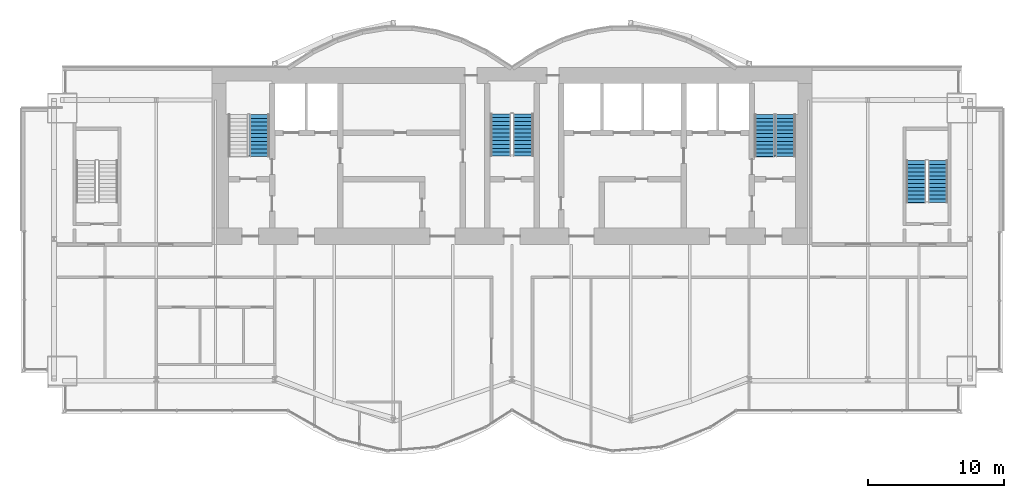
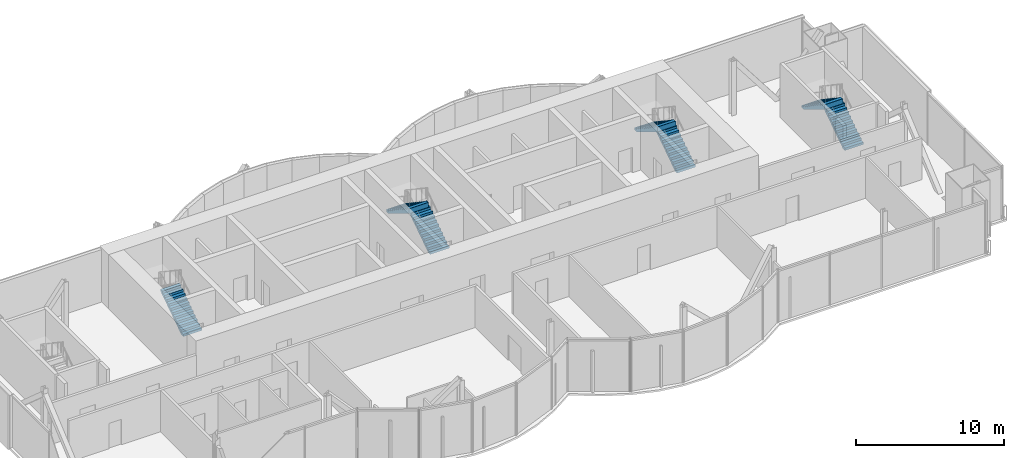
# One storey, part 13 of 16: 7 stair flights, 4 elements without a shape of their own.
"""IFC4 building model written with IfcOpenShell, lengths in metres."""

from ifc_helpers import new_model, si_unit, direction, frame, origin, place, context, subcontext, project, spatial, polyline, outline, extrude, material, type_object, element, aggregate, save


model = new_model("IFC4")

# Units and contexts
model_context = context("Model", 3, precision=1e-05, world=origin(), true_north=direction((0.0, 1.0)))
body_context = subcontext(model_context, "Body", "Model", "MODEL_VIEW")
ifc_project = project(units=[si_unit("LENGTHUNIT", "METRE"), si_unit("AREAUNIT", "SQUARE_METRE"), si_unit("VOLUMEUNIT", "CUBIC_METRE"), si_unit("PLANEANGLEUNIT", "RADIAN"), si_unit("MASSUNIT", "GRAM", prefix="KILO")], contexts=[model_context])

# Site, building, storey
site_placement = place(None, origin())
site = spatial("IfcSite", under=ifc_project, at=site_placement, CompositionType="ELEMENT")
building_placement = place(site_placement, origin())
building = spatial("IfcBuilding", under=site, at=building_placement, Name="Bicima Exchange Tower", CompositionType="ELEMENT")
storey_placement = place(building_placement, frame((0.0, 0.0, 329.0)))
storey = spatial("IfcBuildingStorey", under=building, at=storey_placement, Name="L74", CompositionType="ELEMENT", Elevation=329.0)

# Stair, stair flight
ifc_material = material(Name="Concrete C50/60", Category="concrete")
stair_type_1 = type_object("IfcStairType", Name="Exit stair", PredefinedType="HALF_TURN_STAIR", material=ifc_material)
stair_1_placement = place(storey_placement, origin())
stair_1 = element("IfcStair", 1, at=stair_1_placement, inside=storey, type_object=stair_type_1, Name="L74 West exit stair", PredefinedType="HALF_TURN_STAIR")
stair_flight_type_1 = type_object("IfcStairFlightType", Name="Stair flight RC", PredefinedType="STRAIGHT", material=ifc_material)
stair_flight_1_placement = place(storey_placement, frame((-18.52490234375, -6.550048828125, 0.0), z_axis=(0.0, 0.0, 1.0), x_axis=(0.0, 1.0, 0.0)))
stair_flight_1 = element("IfcStairFlight", 2, at=stair_flight_1_placement, type_object=stair_flight_type_1, Name="ST-W flight 1", NumberOfRisers=12, NumberOfTreads=11, PredefinedType="STRAIGHT", RiserHeight=0.1875, TreadLength=0.28, context=body_context, shape_type="SweptSolid", body=[
    extrude(outline(polyline([(0.0, 0.0), (0.0, 0.1875), (0.280029296875, 0.1875), (0.280029296875, 0.375), (0.56005859375, 0.375), (0.56005859375, 0.5625), (0.840087890625, 0.5625), (0.840087890625, 0.75), (1.1201171875, 0.75), (1.1201171875, 0.9375), (1.39990234375, 0.9375), (1.39990234375, 1.125), (1.679931640625, 1.125), (1.679931640625, 1.3125), (1.9599609375, 1.3125), (1.9599609375, 1.5), (2.239990234375, 1.5), (2.239990234375, 1.6875), (2.52001953125, 1.6875), (2.52001953125, 1.875), (2.800048828125, 1.875), (2.800048828125, 2.0625), (3.080078125, 2.0625), (3.080078125, 2.25), (3.080078125, 1.882080078125), (0.26953125, 0.0), (0.0, 0.0)])), frame((0.0, 0.72509765625, 0.0), z_axis=(0.0, -1.0, 0.0), x_axis=(1.0, 0.0, 0.0)), (0.0, 0.0, 1.0), 1.449951171875),
])
aggregate(stair_1, [stair_flight_1])

# Stair, stair flights
stair_2_placement = place(storey_placement, origin())
stair_2 = element("IfcStair", 3, at=stair_2_placement, inside=storey, type_object=stair_type_1, Name="L74 East exit stair", PredefinedType="HALF_TURN_STAIR")
stair_flight_2_placement = place(storey_placement, frame((20.074951171875, -6.550048828125, 0.0), z_axis=(0.0, 0.0, 1.0), x_axis=(0.0, 1.0, 0.0)))
stair_flight_2 = element("IfcStairFlight", 4, at=stair_flight_2_placement, type_object=stair_flight_type_1, Name="ST-E flight 1", NumberOfRisers=12, NumberOfTreads=11, PredefinedType="STRAIGHT", RiserHeight=0.1875, TreadLength=0.28, context=body_context, shape_type="SweptSolid", body=[
    extrude(outline(polyline([(0.0, 0.0), (0.0, 0.1875), (0.280029296875, 0.1875), (0.280029296875, 0.375), (0.56005859375, 0.375), (0.56005859375, 0.5625), (0.840087890625, 0.5625), (0.840087890625, 0.75), (1.1201171875, 0.75), (1.1201171875, 0.9375), (1.39990234375, 0.9375), (1.39990234375, 1.125), (1.679931640625, 1.125), (1.679931640625, 1.3125), (1.9599609375, 1.3125), (1.9599609375, 1.5), (2.239990234375, 1.5), (2.239990234375, 1.6875), (2.52001953125, 1.6875), (2.52001953125, 1.875), (2.800048828125, 1.875), (2.800048828125, 2.0625), (3.080078125, 2.0625), (3.080078125, 2.25), (3.080078125, 1.882080078125), (0.26953125, 0.0), (0.0, 0.0)])), frame((0.0, 0.72509765625, 0.0), z_axis=(0.0, -1.0, 0.0), x_axis=(1.0, 0.0, 0.0)), (0.0, 0.0, 1.0), 1.449951171875),
])
stair_flight_3_placement = place(storey_placement, frame((18.52490234375, -3.469970703125, 2.25), z_axis=(0.0, 0.0, 1.0), x_axis=(0.0, -1.0, 0.0)))
stair_flight_3 = element("IfcStairFlight", 5, at=stair_flight_3_placement, type_object=stair_flight_type_1, Name="ST-E flight 2", NumberOfRisers=12, NumberOfTreads=11, PredefinedType="STRAIGHT", RiserHeight=0.1875, TreadLength=0.28, context=body_context, shape_type="SweptSolid", body=[
    extrude(outline(polyline([(0.0, 0.0), (0.0, 0.1875), (0.280029296875, 0.1875), (0.280029296875, 0.375), (0.56005859375, 0.375), (0.56005859375, 0.5625), (0.840087890625, 0.5625), (0.840087890625, 0.75), (1.1201171875, 0.75), (1.1201171875, 0.9375), (1.39990234375, 0.9375), (1.39990234375, 1.125), (1.679931640625, 1.125), (1.679931640625, 1.3125), (1.9599609375, 1.3125), (1.9599609375, 1.5), (2.239990234375, 1.5), (2.239990234375, 1.6875), (2.52001953125, 1.6875), (2.52001953125, 1.875), (2.800048828125, 1.875), (2.800048828125, 2.0625), (3.080078125, 2.0625), (3.080078125, 2.10400390625), (3.094970703125, 2.10400390625), (3.094970703125, 1.70458984375), (0.26953125, 0.0), (0.0, 0.0)])), frame((0.0, 0.72509765625, 0.0), z_axis=(0.0, -1.0, 0.0), x_axis=(1.0, 0.0, 0.0)), (0.0, 0.0, 1.0), 1.449951171875),
])
aggregate(stair_2, [stair_flight_2, stair_flight_3])

stair_3_placement = place(storey_placement, origin())
stair_3 = element("IfcStair", 6, at=stair_3_placement, inside=storey, type_object=stair_type_1, Name="L74 East end exit stair", PredefinedType="HALF_TURN_STAIR")
stair_flight_4_placement = place(storey_placement, frame((31.25, -9.925048828125, 0.0), z_axis=(0.0, 0.0, 1.0), x_axis=(0.0, 1.0, 0.0)))
stair_flight_4 = element("IfcStairFlight", 7, at=stair_flight_4_placement, type_object=stair_flight_type_1, Name="ST-EE flight 1", NumberOfRisers=12, NumberOfTreads=11, PredefinedType="STRAIGHT", RiserHeight=0.1875, TreadLength=0.28, context=body_context, shape_type="SweptSolid", body=[
    extrude(outline(polyline([(0.0, 0.0), (0.0, 0.1875), (0.280029296875, 0.1875), (0.280029296875, 0.375), (0.56005859375, 0.375), (0.56005859375, 0.5625), (0.840087890625, 0.5625), (0.840087890625, 0.75), (1.1201171875, 0.75), (1.1201171875, 0.9375), (1.39990234375, 0.9375), (1.39990234375, 1.125), (1.679931640625, 1.125), (1.679931640625, 1.3125), (1.9599609375, 1.3125), (1.9599609375, 1.5), (2.239990234375, 1.5), (2.239990234375, 1.6875), (2.52001953125, 1.6875), (2.52001953125, 1.875), (2.800048828125, 1.875), (2.800048828125, 2.0625), (3.080078125, 2.0625), (3.080078125, 2.25), (3.080078125, 1.882080078125), (0.26953125, 0.0), (0.0, 0.0)])), frame((0.0, 0.72509765625, 0.0), z_axis=(0.0, -1.0, 0.0), x_axis=(1.0, 0.0, 0.0)), (0.0, 0.0, 1.0), 1.449951171875),
])
stair_flight_5_placement = place(storey_placement, frame((29.64990234375, -6.844970703125, 2.25), z_axis=(0.0, 0.0, 1.0), x_axis=(0.0, -1.0, 0.0)))
stair_flight_5 = element("IfcStairFlight", 8, at=stair_flight_5_placement, type_object=stair_flight_type_1, Name="ST-EE flight 2", NumberOfRisers=12, NumberOfTreads=11, PredefinedType="STRAIGHT", RiserHeight=0.1875, TreadLength=0.28, context=body_context, shape_type="SweptSolid", body=[
    extrude(outline(polyline([(0.0, 0.0), (0.0, 0.1875), (0.280029296875, 0.1875), (0.280029296875, 0.375), (0.56005859375, 0.375), (0.56005859375, 0.5625), (0.840087890625, 0.5625), (0.840087890625, 0.75), (1.1201171875, 0.75), (1.1201171875, 0.9375), (1.39990234375, 0.9375), (1.39990234375, 1.125), (1.679931640625, 1.125), (1.679931640625, 1.3125), (1.9599609375, 1.3125), (1.9599609375, 1.5), (2.239990234375, 1.5), (2.239990234375, 1.6875), (2.52001953125, 1.6875), (2.52001953125, 1.875), (2.800048828125, 1.875), (2.800048828125, 2.0625), (3.080078125, 2.0625), (3.080078125, 2.10400390625), (3.094970703125, 2.10400390625), (3.094970703125, 1.70458984375), (0.26953125, 0.0), (0.0, 0.0)])), frame((0.0, 0.72509765625, 0.0), z_axis=(0.0, -1.0, 0.0), x_axis=(1.0, 0.0, 0.0)), (0.0, 0.0, 1.0), 1.449951171875),
])
aggregate(stair_3, [stair_flight_4, stair_flight_5])

stair_type_2 = type_object("IfcStairType", Name="Exit stair 1500", PredefinedType="HALF_TURN_STAIR", material=ifc_material)
stair_4_placement = place(storey_placement, origin())
stair_4 = element("IfcStair", 9, at=stair_4_placement, inside=storey, type_object=stair_type_2, Name="L74 Central exit stair", PredefinedType="HALF_TURN_STAIR")
stair_flight_type_2 = type_object("IfcStairFlightType", Name="Stair flight RC 1500", PredefinedType="STRAIGHT", material=ifc_material)
stair_flight_6_placement = place(storey_placement, frame((0.824951171875, -6.5, 0.0), z_axis=(0.0, 0.0, 1.0), x_axis=(0.0, 1.0, 0.0)))
stair_flight_6 = element("IfcStairFlight", 10, at=stair_flight_6_placement, type_object=stair_flight_type_2, Name="ST-C flight 1", NumberOfRisers=12, NumberOfTreads=11, PredefinedType="STRAIGHT", RiserHeight=0.1875, TreadLength=0.28, context=body_context, shape_type="SweptSolid", body=[
    extrude(outline(polyline([(0.0, 0.0), (0.0, 0.1875), (0.280029296875, 0.1875), (0.280029296875, 0.375), (0.56005859375, 0.375), (0.56005859375, 0.5625), (0.840087890625, 0.5625), (0.840087890625, 0.75), (1.1201171875, 0.75), (1.1201171875, 0.9375), (1.39990234375, 0.9375), (1.39990234375, 1.125), (1.679931640625, 1.125), (1.679931640625, 1.3125), (1.9599609375, 1.3125), (1.9599609375, 1.5), (2.239990234375, 1.5), (2.239990234375, 1.6875), (2.52001953125, 1.6875), (2.52001953125, 1.875), (2.800048828125, 1.875), (2.800048828125, 2.0625), (3.080078125, 2.0625), (3.080078125, 2.25), (3.080078125, 1.882080078125), (0.26953125, 0.0), (0.0, 0.0)])), frame((0.0, 0.75, 0.0), z_axis=(0.0, -1.0, 0.0), x_axis=(1.0, 0.0, 0.0)), (0.0, 0.0, 1.0), 1.5),
])
stair_flight_7_placement = place(storey_placement, frame((-0.824951171875, -3.419921875, 2.25), z_axis=(0.0, 0.0, 1.0), x_axis=(0.0, -1.0, 0.0)))
stair_flight_7 = element("IfcStairFlight", 11, at=stair_flight_7_placement, type_object=stair_flight_type_2, Name="ST-C flight 2", NumberOfRisers=12, NumberOfTreads=11, PredefinedType="STRAIGHT", RiserHeight=0.1875, TreadLength=0.28, context=body_context, shape_type="SweptSolid", body=[
    extrude(outline(polyline([(0.0, 0.0), (0.0, 0.1875), (0.280029296875, 0.1875), (0.280029296875, 0.375), (0.56005859375, 0.375), (0.56005859375, 0.5625), (0.840087890625, 0.5625), (0.840087890625, 0.75), (1.1201171875, 0.75), (1.1201171875, 0.9375), (1.39990234375, 0.9375), (1.39990234375, 1.125), (1.679931640625, 1.125), (1.679931640625, 1.3125), (1.9599609375, 1.3125), (1.9599609375, 1.5), (2.239990234375, 1.5), (2.239990234375, 1.6875), (2.52001953125, 1.6875), (2.52001953125, 1.875), (2.800048828125, 1.875), (2.800048828125, 2.0625), (3.080078125, 2.0625), (3.080078125, 2.10400390625), (3.094970703125, 2.10400390625), (3.094970703125, 1.70458984375), (0.26953125, 0.0), (0.0, 0.0)])), frame((0.0, 0.75, 0.0), z_axis=(0.0, -1.0, 0.0), x_axis=(1.0, 0.0, 0.0)), (0.0, 0.0, 1.0), 1.5),
])
aggregate(stair_4, [stair_flight_6, stair_flight_7])

save(model, "model.ifc")
